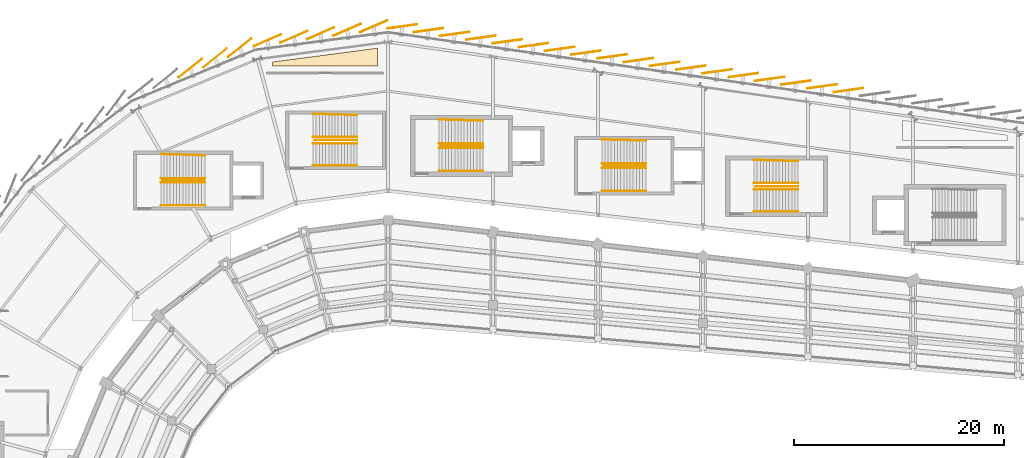
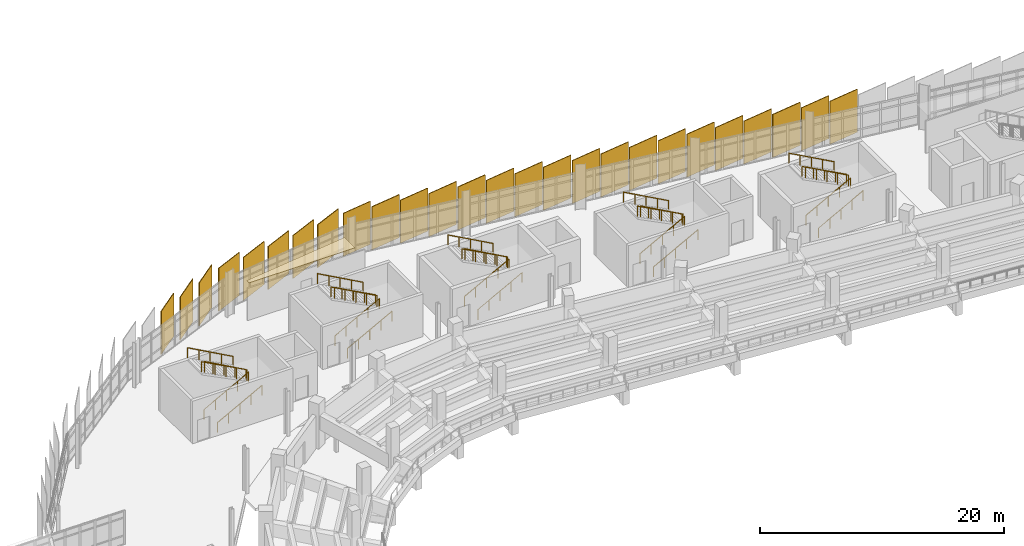
# One storey, part 115 of 120: 27 coverings, 25 railings.
"""IFC4 building model written with IfcOpenShell, lengths in metres."""

from ifc_helpers import new_model, si_unit, direction, frame, origin, origin_2d, place, context, subcontext, project, spatial, polyline, rectangle, circle, outline, extrude, material, layer, layer_set, type_object, element, save


model = new_model("IFC4")

# Units and contexts
model_context = context("Model", 3, precision=1e-05, world=origin(), true_north=direction((0.0, 1.0)))
body_context = subcontext(model_context, "Body", "Model", "MODEL_VIEW")
ifc_project = project(units=[si_unit("LENGTHUNIT", "METRE"), si_unit("AREAUNIT", "SQUARE_METRE"), si_unit("VOLUMEUNIT", "CUBIC_METRE"), si_unit("PLANEANGLEUNIT", "RADIAN"), si_unit("MASSUNIT", "GRAM", prefix="KILO")], contexts=[model_context])

# Site, building, storey
site_placement = place(None, origin())
site = spatial("IfcSite", under=ifc_project, at=site_placement, CompositionType="ELEMENT")
building_placement = place(site_placement, origin())
building = spatial("IfcBuilding", under=site, at=building_placement, Name="Sohan Crest Arena", CompositionType="ELEMENT")
storey_placement = place(building_placement, frame((0.0, 0.0, 13.5)))
storey = spatial("IfcBuildingStorey", under=building, at=storey_placement, Name="L03", CompositionType="ELEMENT", Elevation=13.5)

# Railings
ifc_material_1 = material(Name="Powder-coated wrought steel balustrade", Category="steel")
railing_type_1 = type_object("IfcRailingType", Name="ARC-GRD-01", PredefinedType="GUARDRAIL", material=ifc_material_1)
for number, where, name in (
    (1, (80.530029296875, 112.800048828125, 2.25), "Stair well slot guard GRD-026"),
    (2, (107.030029296875, 116.10009765625, 2.25), "Stair well slot guard GRD-038"),
    (3, (122.530029296875, 114.199951171875, 2.25), "Stair well slot guard GRD-049"),
    (4, (95.030029296875, 116.639892578125, 2.25), "Stair well slot guard GRD-109"),
    (5, (137.030029296875, 112.25, 2.25), "Stair well slot guard GRD-121"),
):
    element("IfcRailing", number, at=place(storey_placement, frame(where)), inside=storey, type_object=railing_type_1, Name=name, PredefinedType="GUARDRAIL", context=body_context, shape_type="SweptSolid", body=[
        extrude(circle(Radius=0.02392578125, at=origin_2d()), frame((0.0, 0.0, 1.076171875), z_axis=(-0.87313487534, 0.0, 0.487478706678), x_axis=(0.0, -1.0, 0.0)), (0.0, 0.0, 1.0), 4.615478515625),
        extrude(circle(Radius=0.02099609375, at=origin_2d()), origin(), (0.0, 0.0, 1.0), 1.052001953125),
        extrude(circle(Radius=0.02099609375, at=origin_2d()), frame((-1.007568359375, 0.0, 0.5625)), (0.0, 0.0, 1.0), 1.052001953125),
        extrude(circle(Radius=0.02099609375, at=origin_2d()), frame((-2.01513671875, 0.0, 1.125)), (0.0, 0.0, 1.0), 1.052001953125),
        extrude(circle(Radius=0.02099609375, at=origin_2d()), frame((-3.0224609375, 0.0, 1.6875)), (0.0, 0.0, 1.0), 1.052001953125),
        extrude(circle(Radius=0.02099609375, at=origin_2d()), frame((-4.030029296875, 0.0, 2.25)), (0.0, 0.0, 1.0), 1.052001953125),
    ])
ifc_material_2 = material(Name="Brushed stainless steel stair handrail", Category="steel")
railing_type_2 = type_object("IfcRailingType", Name="ARC-HR-01", PredefinedType="HANDRAIL", material=ifc_material_2)
for number, where, name in (
    (6, (76.35009765625, 110.409912109375, 0.0), "Stair pitch handrail HR-089"),
    (7, (76.35009765625, 112.590087890625, 0.0), "Stair pitch handrail HR-090"),
):
    element("IfcRailing", number, at=place(storey_placement, frame(where)), inside=storey, type_object=railing_type_2, Name=name, PredefinedType="HANDRAIL", context=body_context, shape_type="SweptSolid", body=[
        extrude(circle(Radius=0.02392578125, at=origin_2d()), frame((0.0, 0.0, 0.97607421875), z_axis=(0.881477684796, 0.0, 0.472225678258), x_axis=(0.0, 1.0, 0.0)), (0.0, 0.0, 1.0), 4.7646484375),
        extrude(circle(Radius=0.02099609375, at=origin_2d()), origin(), (0.0, 0.0, 1.0), 0.951904296875),
        extrude(circle(Radius=0.02099609375, at=origin_2d()), frame((1.050048828125, 0.0, 0.5625)), (0.0, 0.0, 1.0), 0.951904296875),
        extrude(circle(Radius=0.02099609375, at=origin_2d()), frame((2.10009765625, 0.0, 1.125)), (0.0, 0.0, 1.0), 0.951904296875),
        extrude(circle(Radius=0.02099609375, at=origin_2d()), frame((3.14990234375, 0.0, 1.6875)), (0.0, 0.0, 1.0), 0.951904296875),
        extrude(circle(Radius=0.02099609375, at=origin_2d()), frame((4.199951171875, 0.0, 2.25)), (0.0, 0.0, 1.0), 0.951904296875),
    ])
railing_1_placement = place(storey_placement, frame((80.550048828125, 113.010009765625, 2.25)))
element("IfcRailing", 8, at=railing_1_placement, inside=storey, type_object=railing_type_2, Name="Stair pitch handrail HR-091", PredefinedType="HANDRAIL", context=body_context, shape_type="SweptSolid", body=[
    extrude(circle(Radius=0.02392578125, at=origin_2d()), frame((0.0, 0.0, 0.97607421875), z_axis=(-0.881477684796, 0.0, 0.472225678258), x_axis=(0.0, -1.0, 0.0)), (0.0, 0.0, 1.0), 4.7646484375),
    extrude(circle(Radius=0.02099609375, at=origin_2d()), origin(), (0.0, 0.0, 1.0), 0.951904296875),
    extrude(circle(Radius=0.02099609375, at=origin_2d()), frame((-1.050048828125, 0.0, 0.5625)), (0.0, 0.0, 1.0), 0.951904296875),
    extrude(circle(Radius=0.02099609375, at=origin_2d()), frame((-2.10009765625, 0.0, 1.125)), (0.0, 0.0, 1.0), 0.951904296875),
    extrude(circle(Radius=0.02099609375, at=origin_2d()), frame((-3.14990234375, 0.0, 1.6875)), (0.0, 0.0, 1.0), 0.951904296875),
    extrude(circle(Radius=0.02099609375, at=origin_2d()), frame((-4.199951171875, 0.0, 2.25)), (0.0, 0.0, 1.0), 0.951904296875),
])
railing_2_placement = place(storey_placement, frame((80.550048828125, 115.18994140625, 2.25)))
element("IfcRailing", 9, at=railing_2_placement, inside=storey, type_object=railing_type_2, Name="Stair pitch handrail HR-092", PredefinedType="HANDRAIL", context=body_context, shape_type="SweptSolid", body=[
    extrude(circle(Radius=0.02392578125, at=origin_2d()), frame((0.0, 0.0, 0.97607421875), z_axis=(-0.881197710057, 0.025201957411, 0.472075690047), x_axis=(-0.028587973606, -0.999591280357, 0.0)), (0.0, 0.0, 1.0), 4.76611328125),
    extrude(circle(Radius=0.02099609375, at=origin_2d()), origin(), (0.0, 0.0, 1.0), 0.951904296875),
    extrude(circle(Radius=0.02099609375, at=origin_2d()), frame((-1.050048828125, 0.030029296875, 0.5625)), (0.0, 0.0, 1.0), 0.951904296875),
    extrude(circle(Radius=0.02099609375, at=origin_2d()), frame((-2.10009765625, 0.06005859375, 1.125)), (0.0, 0.0, 1.0), 0.951904296875),
    extrude(circle(Radius=0.02099609375, at=origin_2d()), frame((-3.14990234375, 0.090087890625, 1.6875)), (0.0, 0.0, 1.0), 0.951904296875),
    extrude(circle(Radius=0.02099609375, at=origin_2d()), frame((-4.199951171875, 0.1201171875, 2.25)), (0.0, 0.0, 1.0), 0.951904296875),
])
for number, where, name in (
    (10, (102.85009765625, 113.7099609375, 0.0), "Stair pitch handrail HR-129"),
    (11, (102.85009765625, 115.889892578125, 0.0), "Stair pitch handrail HR-130"),
):
    element("IfcRailing", number, at=place(storey_placement, frame(where)), inside=storey, type_object=railing_type_2, Name=name, PredefinedType="HANDRAIL", context=body_context, shape_type="SweptSolid", body=[
        extrude(circle(Radius=0.02392578125, at=origin_2d()), frame((0.0, 0.0, 0.97607421875), z_axis=(0.881477684796, 0.0, 0.472225678258), x_axis=(0.0, 1.0, 0.0)), (0.0, 0.0, 1.0), 4.7646484375),
        extrude(circle(Radius=0.02099609375, at=origin_2d()), origin(), (0.0, 0.0, 1.0), 0.951904296875),
        extrude(circle(Radius=0.02099609375, at=origin_2d()), frame((1.050048828125, 0.0, 0.5625)), (0.0, 0.0, 1.0), 0.951904296875),
        extrude(circle(Radius=0.02099609375, at=origin_2d()), frame((2.10009765625, 0.0, 1.125)), (0.0, 0.0, 1.0), 0.951904296875),
        extrude(circle(Radius=0.02099609375, at=origin_2d()), frame((3.14990234375, 0.0, 1.6875)), (0.0, 0.0, 1.0), 0.951904296875),
        extrude(circle(Radius=0.02099609375, at=origin_2d()), frame((4.199951171875, 0.0, 2.25)), (0.0, 0.0, 1.0), 0.951904296875),
    ])
railing_3_placement = place(storey_placement, frame((107.050048828125, 116.31005859375, 2.25)))
element("IfcRailing", 12, at=railing_3_placement, inside=storey, type_object=railing_type_2, Name="Stair pitch handrail HR-131", PredefinedType="HANDRAIL", context=body_context, shape_type="SweptSolid", body=[
    extrude(circle(Radius=0.02392578125, at=origin_2d()), frame((0.0, 0.0, 0.97607421875), z_axis=(-0.881477684796, 0.0, 0.472225678258), x_axis=(0.0, -1.0, 0.0)), (0.0, 0.0, 1.0), 4.7646484375),
    extrude(circle(Radius=0.02099609375, at=origin_2d()), origin(), (0.0, 0.0, 1.0), 0.951904296875),
    extrude(circle(Radius=0.02099609375, at=origin_2d()), frame((-1.050048828125, 0.0, 0.5625)), (0.0, 0.0, 1.0), 0.951904296875),
    extrude(circle(Radius=0.02099609375, at=origin_2d()), frame((-2.10009765625, 0.0, 1.125)), (0.0, 0.0, 1.0), 0.951904296875),
    extrude(circle(Radius=0.02099609375, at=origin_2d()), frame((-3.14990234375, 0.0, 1.6875)), (0.0, 0.0, 1.0), 0.951904296875),
    extrude(circle(Radius=0.02099609375, at=origin_2d()), frame((-4.199951171875, 0.0, 2.25)), (0.0, 0.0, 1.0), 0.951904296875),
])
railing_4_placement = place(storey_placement, frame((107.050048828125, 118.489990234375, 2.25)))
element("IfcRailing", 13, at=railing_4_placement, inside=storey, type_object=railing_type_2, Name="Stair pitch handrail HR-132", PredefinedType="HANDRAIL", context=body_context, shape_type="SweptSolid", body=[
    extrude(circle(Radius=0.02392578125, at=origin_2d()), frame((0.0, 0.0, 0.97607421875), z_axis=(-0.881197710057, 0.025201957411, 0.472075690047), x_axis=(-0.028587973606, -0.999591280357, 0.0)), (0.0, 0.0, 1.0), 4.76611328125),
    extrude(circle(Radius=0.02099609375, at=origin_2d()), origin(), (0.0, 0.0, 1.0), 0.951904296875),
    extrude(circle(Radius=0.02099609375, at=origin_2d()), frame((-1.050048828125, 0.030029296875, 0.5625)), (0.0, 0.0, 1.0), 0.951904296875),
    extrude(circle(Radius=0.02099609375, at=origin_2d()), frame((-2.10009765625, 0.06005859375, 1.125)), (0.0, 0.0, 1.0), 0.951904296875),
    extrude(circle(Radius=0.02099609375, at=origin_2d()), frame((-3.14990234375, 0.090087890625, 1.6875)), (0.0, 0.0, 1.0), 0.951904296875),
    extrude(circle(Radius=0.02099609375, at=origin_2d()), frame((-4.199951171875, 0.1201171875, 2.25)), (0.0, 0.0, 1.0), 0.951904296875),
])
for number, where, name in (
    (14, (118.35009765625, 111.81005859375, 0.0), "Stair pitch handrail HR-165"),
    (15, (118.35009765625, 113.989990234375, 0.0), "Stair pitch handrail HR-166"),
):
    element("IfcRailing", number, at=place(storey_placement, frame(where)), inside=storey, type_object=railing_type_2, Name=name, PredefinedType="HANDRAIL", context=body_context, shape_type="SweptSolid", body=[
        extrude(circle(Radius=0.02392578125, at=origin_2d()), frame((0.0, 0.0, 0.97607421875), z_axis=(0.881477684796, 0.0, 0.472225678258), x_axis=(0.0, 1.0, 0.0)), (0.0, 0.0, 1.0), 4.7646484375),
        extrude(circle(Radius=0.02099609375, at=origin_2d()), origin(), (0.0, 0.0, 1.0), 0.951904296875),
        extrude(circle(Radius=0.02099609375, at=origin_2d()), frame((1.050048828125, 0.0, 0.5625)), (0.0, 0.0, 1.0), 0.951904296875),
        extrude(circle(Radius=0.02099609375, at=origin_2d()), frame((2.10009765625, 0.0, 1.125)), (0.0, 0.0, 1.0), 0.951904296875),
        extrude(circle(Radius=0.02099609375, at=origin_2d()), frame((3.14990234375, 0.0, 1.6875)), (0.0, 0.0, 1.0), 0.951904296875),
        extrude(circle(Radius=0.02099609375, at=origin_2d()), frame((4.199951171875, 0.0, 2.25)), (0.0, 0.0, 1.0), 0.951904296875),
    ])
railing_5_placement = place(storey_placement, frame((122.550048828125, 114.409912109375, 2.25)))
element("IfcRailing", 16, at=railing_5_placement, inside=storey, type_object=railing_type_2, Name="Stair pitch handrail HR-167", PredefinedType="HANDRAIL", context=body_context, shape_type="SweptSolid", body=[
    extrude(circle(Radius=0.02392578125, at=origin_2d()), frame((0.0, 0.0, 0.97607421875), z_axis=(-0.881477684796, 0.0, 0.472225678258), x_axis=(0.0, -1.0, 0.0)), (0.0, 0.0, 1.0), 4.7646484375),
    extrude(circle(Radius=0.02099609375, at=origin_2d()), origin(), (0.0, 0.0, 1.0), 0.951904296875),
    extrude(circle(Radius=0.02099609375, at=origin_2d()), frame((-1.050048828125, 0.0, 0.5625)), (0.0, 0.0, 1.0), 0.951904296875),
    extrude(circle(Radius=0.02099609375, at=origin_2d()), frame((-2.10009765625, 0.0, 1.125)), (0.0, 0.0, 1.0), 0.951904296875),
    extrude(circle(Radius=0.02099609375, at=origin_2d()), frame((-3.14990234375, 0.0, 1.6875)), (0.0, 0.0, 1.0), 0.951904296875),
    extrude(circle(Radius=0.02099609375, at=origin_2d()), frame((-4.199951171875, 0.0, 2.25)), (0.0, 0.0, 1.0), 0.951904296875),
])
railing_6_placement = place(storey_placement, frame((122.550048828125, 116.590087890625, 2.25)))
element("IfcRailing", 17, at=railing_6_placement, inside=storey, type_object=railing_type_2, Name="Stair pitch handrail HR-168", PredefinedType="HANDRAIL", context=body_context, shape_type="SweptSolid", body=[
    extrude(circle(Radius=0.02392578125, at=origin_2d()), frame((0.0, 0.0, 0.97607421875), z_axis=(-0.881198846469, 0.025150766356, 0.472076298847), x_axis=(-0.028529915312, -0.999592939117, 0.0)), (0.0, 0.0, 1.0), 4.76611328125),
    extrude(circle(Radius=0.02099609375, at=origin_2d()), origin(), (0.0, 0.0, 1.0), 0.951904296875),
    extrude(circle(Radius=0.02099609375, at=origin_2d()), frame((-1.050048828125, 0.030029296875, 0.5625)), (0.0, 0.0, 1.0), 0.951904296875),
    extrude(circle(Radius=0.02099609375, at=origin_2d()), frame((-2.10009765625, 0.06005859375, 1.125)), (0.0, 0.0, 1.0), 0.951904296875),
    extrude(circle(Radius=0.02099609375, at=origin_2d()), frame((-3.14990234375, 0.08984375, 1.6875)), (0.0, 0.0, 1.0), 0.951904296875),
    extrude(circle(Radius=0.02099609375, at=origin_2d()), frame((-4.199951171875, 0.119873046875, 2.25)), (0.0, 0.0, 1.0), 0.951904296875),
])
for number, where, name in (
    (18, (90.85009765625, 114.25, 0.0), "Stair pitch handrail HR-357"),
    (19, (90.85009765625, 116.330078125, 0.0), "Stair pitch handrail HR-358"),
):
    element("IfcRailing", number, at=place(storey_placement, frame(where)), inside=storey, type_object=railing_type_2, Name=name, PredefinedType="HANDRAIL", context=body_context, shape_type="SweptSolid", body=[
        extrude(circle(Radius=0.02392578125, at=origin_2d()), frame((0.0, 0.0, 0.97607421875), z_axis=(0.881477684796, 0.0, 0.472225678258), x_axis=(0.0, 1.0, 0.0)), (0.0, 0.0, 1.0), 4.7646484375),
        extrude(circle(Radius=0.02099609375, at=origin_2d()), origin(), (0.0, 0.0, 1.0), 0.951904296875),
        extrude(circle(Radius=0.02099609375, at=origin_2d()), frame((1.050048828125, 0.0, 0.5625)), (0.0, 0.0, 1.0), 0.951904296875),
        extrude(circle(Radius=0.02099609375, at=origin_2d()), frame((2.10009765625, 0.0, 1.125)), (0.0, 0.0, 1.0), 0.951904296875),
        extrude(circle(Radius=0.02099609375, at=origin_2d()), frame((3.14990234375, 0.0, 1.6875)), (0.0, 0.0, 1.0), 0.951904296875),
        extrude(circle(Radius=0.02099609375, at=origin_2d()), frame((4.199951171875, 0.0, 2.25)), (0.0, 0.0, 1.0), 0.951904296875),
    ])
railing_7_placement = place(storey_placement, frame((95.050048828125, 116.949951171875, 2.25)))
element("IfcRailing", 20, at=railing_7_placement, inside=storey, type_object=railing_type_2, Name="Stair pitch handrail HR-359", PredefinedType="HANDRAIL", context=body_context, shape_type="SweptSolid", body=[
    extrude(circle(Radius=0.02392578125, at=origin_2d()), frame((0.0, 0.0, 0.97607421875), z_axis=(-0.881477684796, 0.0, 0.472225678258), x_axis=(0.0, -1.0, 0.0)), (0.0, 0.0, 1.0), 4.7646484375),
    extrude(circle(Radius=0.02099609375, at=origin_2d()), origin(), (0.0, 0.0, 1.0), 0.951904296875),
    extrude(circle(Radius=0.02099609375, at=origin_2d()), frame((-1.050048828125, 0.0, 0.5625)), (0.0, 0.0, 1.0), 0.951904296875),
    extrude(circle(Radius=0.02099609375, at=origin_2d()), frame((-2.10009765625, 0.0, 1.125)), (0.0, 0.0, 1.0), 0.951904296875),
    extrude(circle(Radius=0.02099609375, at=origin_2d()), frame((-3.14990234375, 0.0, 1.6875)), (0.0, 0.0, 1.0), 0.951904296875),
    extrude(circle(Radius=0.02099609375, at=origin_2d()), frame((-4.199951171875, 0.0, 2.25)), (0.0, 0.0, 1.0), 0.951904296875),
])
railing_8_placement = place(storey_placement, frame((95.050048828125, 119.030029296875, 2.25)))
element("IfcRailing", 21, at=railing_8_placement, inside=storey, type_object=railing_type_2, Name="Stair pitch handrail HR-360", PredefinedType="HANDRAIL", context=body_context, shape_type="SweptSolid", body=[
    extrude(circle(Radius=0.02392578125, at=origin_2d()), frame((0.0, 0.0, 0.97607421875), z_axis=(-0.881198846469, 0.025150766356, 0.472076298847), x_axis=(-0.028529915312, -0.999592939117, 0.0)), (0.0, 0.0, 1.0), 4.76611328125),
    extrude(circle(Radius=0.02099609375, at=origin_2d()), origin(), (0.0, 0.0, 1.0), 0.951904296875),
    extrude(circle(Radius=0.02099609375, at=origin_2d()), frame((-1.050048828125, 0.030029296875, 0.5625)), (0.0, 0.0, 1.0), 0.951904296875),
    extrude(circle(Radius=0.02099609375, at=origin_2d()), frame((-2.10009765625, 0.06005859375, 1.125)), (0.0, 0.0, 1.0), 0.951904296875),
    extrude(circle(Radius=0.02099609375, at=origin_2d()), frame((-3.14990234375, 0.08984375, 1.6875)), (0.0, 0.0, 1.0), 0.951904296875),
    extrude(circle(Radius=0.02099609375, at=origin_2d()), frame((-4.199951171875, 0.119873046875, 2.25)), (0.0, 0.0, 1.0), 0.951904296875),
])
for number, where, name in (
    (22, (132.85009765625, 109.860107421875, 0.0), "Stair pitch handrail HR-397"),
    (23, (132.85009765625, 111.93994140625, 0.0), "Stair pitch handrail HR-398"),
):
    element("IfcRailing", number, at=place(storey_placement, frame(where)), inside=storey, type_object=railing_type_2, Name=name, PredefinedType="HANDRAIL", context=body_context, shape_type="SweptSolid", body=[
        extrude(circle(Radius=0.02392578125, at=origin_2d()), frame((0.0, 0.0, 0.97607421875), z_axis=(0.881477684796, 0.0, 0.472225678258), x_axis=(0.0, 1.0, 0.0)), (0.0, 0.0, 1.0), 4.7646484375),
        extrude(circle(Radius=0.02099609375, at=origin_2d()), origin(), (0.0, 0.0, 1.0), 0.951904296875),
        extrude(circle(Radius=0.02099609375, at=origin_2d()), frame((1.050048828125, 0.0, 0.5625)), (0.0, 0.0, 1.0), 0.951904296875),
        extrude(circle(Radius=0.02099609375, at=origin_2d()), frame((2.10009765625, 0.0, 1.125)), (0.0, 0.0, 1.0), 0.951904296875),
        extrude(circle(Radius=0.02099609375, at=origin_2d()), frame((3.14990234375, 0.0, 1.6875)), (0.0, 0.0, 1.0), 0.951904296875),
        extrude(circle(Radius=0.02099609375, at=origin_2d()), frame((4.199951171875, 0.0, 2.25)), (0.0, 0.0, 1.0), 0.951904296875),
    ])
railing_9_placement = place(storey_placement, frame((137.050048828125, 112.56005859375, 2.25)))
element("IfcRailing", 24, at=railing_9_placement, inside=storey, type_object=railing_type_2, Name="Stair pitch handrail HR-399", PredefinedType="HANDRAIL", context=body_context, shape_type="SweptSolid", body=[
    extrude(circle(Radius=0.02392578125, at=origin_2d()), frame((0.0, 0.0, 0.97607421875), z_axis=(-0.881477684796, 0.0, 0.472225678258), x_axis=(0.0, -1.0, 0.0)), (0.0, 0.0, 1.0), 4.7646484375),
    extrude(circle(Radius=0.02099609375, at=origin_2d()), origin(), (0.0, 0.0, 1.0), 0.951904296875),
    extrude(circle(Radius=0.02099609375, at=origin_2d()), frame((-1.050048828125, 0.0, 0.5625)), (0.0, 0.0, 1.0), 0.951904296875),
    extrude(circle(Radius=0.02099609375, at=origin_2d()), frame((-2.10009765625, 0.0, 1.125)), (0.0, 0.0, 1.0), 0.951904296875),
    extrude(circle(Radius=0.02099609375, at=origin_2d()), frame((-3.14990234375, 0.0, 1.6875)), (0.0, 0.0, 1.0), 0.951904296875),
    extrude(circle(Radius=0.02099609375, at=origin_2d()), frame((-4.199951171875, 0.0, 2.25)), (0.0, 0.0, 1.0), 0.951904296875),
])
railing_10_placement = place(storey_placement, frame((137.050048828125, 114.639892578125, 2.25)))
element("IfcRailing", 25, at=railing_10_placement, inside=storey, type_object=railing_type_2, Name="Stair pitch handrail HR-400", PredefinedType="HANDRAIL", context=body_context, shape_type="SweptSolid", body=[
    extrude(circle(Radius=0.02392578125, at=origin_2d()), frame((0.0, 0.0, 0.97607421875), z_axis=(-0.881197710057, 0.025201957411, 0.472075690047), x_axis=(-0.028587973606, -0.999591280357, 0.0)), (0.0, 0.0, 1.0), 4.76611328125),
    extrude(circle(Radius=0.02099609375, at=origin_2d()), origin(), (0.0, 0.0, 1.0), 0.951904296875),
    extrude(circle(Radius=0.02099609375, at=origin_2d()), frame((-1.050048828125, 0.030029296875, 0.5625)), (0.0, 0.0, 1.0), 0.951904296875),
    extrude(circle(Radius=0.02099609375, at=origin_2d()), frame((-2.10009765625, 0.06005859375, 1.125)), (0.0, 0.0, 1.0), 0.951904296875),
    extrude(circle(Radius=0.02099609375, at=origin_2d()), frame((-3.14990234375, 0.090087890625, 1.6875)), (0.0, 0.0, 1.0), 0.951904296875),
    extrude(circle(Radius=0.02099609375, at=origin_2d()), frame((-4.199951171875, 0.1201171875, 2.25)), (0.0, 0.0, 1.0), 0.951904296875),
])

# Coverings
ifc_material_3 = material(Name="Acoustic mineral-fibre ceiling tile")
ifc_layer_1 = layer(ifc_material_3, 0.044921875, Name="Acoustic mineral-fibre ceiling tile")
ifc_layer_set_1 = layer_set([ifc_layer_1], Name="Acoustic mineral-fibre ceiling tile")
covering_type_1 = type_object("IfcCoveringType", Name="COV-CL1", PredefinedType="CEILING", material=ifc_layer_set_1)
covering_placement = place(storey_placement, frame((0.0, 0.0, 3.10009765625)))
element("IfcCovering", 26, at=covering_placement, inside=storey, type_object=covering_type_1, Name="Suspended acoustic ceiling CL-001", PredefinedType="CEILING", context=body_context, shape_type="SweptSolid", body=[
    extrude(outline(polyline([(87.0, 123.68994140625), (87.0, 124.090087890625), (97.0, 125.406982421875), (97.0, 123.68994140625), (87.0, 123.68994140625)])), origin(), (0.0, 0.0, 1.0), 0.0498046875),
])
ifc_material_4 = material(Name="Glazed ivory trencadis ceramic cladding", Category="masonry")
ifc_layer_2 = layer(ifc_material_4, 0.06494140625, Name="Glazed ivory trencadis ceramic cladding")
ifc_layer_set_2 = layer_set([ifc_layer_2], Name="Glazed ivory trencadis ceramic cladding")
covering_type_2 = type_object("IfcCoveringType", Name="COV-SC-IV", PredefinedType="CLADDING", material=ifc_layer_set_2)
for number, where, z_axis, x_axis, name in (
    (27, (94.10400390625, 127.154052734375, -0.2001953125), (0.0, 0.0, 1.0), (-0.917060074385, -0.398749068925, 0.0), "Rotated trencadis ceramic scale panel SC-0262"),
    (28, (91.572998046875, 126.820068359375, -0.2001953125), (0.0, 0.0, 1.0), (-0.917060074385, -0.398749068925, 0.0), "Rotated trencadis ceramic scale panel SC-0263"),
    (29, (89.0419921875, 126.487060546875, -0.2001953125), (0.0, 0.0, 1.0), (-0.917060074385, -0.398749068925, 0.0), "Rotated trencadis ceramic scale panel SC-0264"),
    (30, (86.510009765625, 126.154052734375, -0.2001953125), (0.0, 0.0, 1.0), (-0.917060074385, -0.398749068925, 0.0), "Rotated trencadis ceramic scale panel SC-0265"),
    (31, (83.8740234375, 125.447998046875, -0.2001953125), (0.0, 0.0, 1.0), (-0.782608156852, -0.622514636638, 0.0), "Rotated trencadis ceramic scale panel SC-0266"),
    (32, (81.514892578125, 124.470947265625, -0.2001953125), (0.0, 0.0, 1.0), (-0.782608156852, -0.622514636638, 0.0), "Rotated trencadis ceramic scale panel SC-0267"),
    (33, (79.156005859375, 123.493896484375, -0.2001953125), (0.0, 0.0, 1.0), (-0.782608156852, -0.622514636638, 0.0), "Rotated trencadis ceramic scale panel SC-0268"),
    (34, (141.85791015625, 121.402099609375, -0.2001953125), (0.0, 0.0, 1.0), (-0.990509463238, -0.137444546037, 0.0), "Rotated trencadis ceramic scale panel SC-0381"),
    (35, (139.35791015625, 121.760009765625, -0.2001953125), (0.0, 0.0, 1.0), (-0.990509463238, -0.137444546037, 0.0), "Rotated trencadis ceramic scale panel SC-0382"),
    (36, (134.35693359375, 122.47412109375, -0.2001953125), (0.0, 0.0, 1.0), (-0.990509463238, -0.137444546037, 0.0), "Rotated trencadis ceramic scale panel SC-0384"),
    (37, (131.85693359375, 122.8310546875, -0.2001953125), (0.0, 0.0, 1.0), (-0.990509463238, -0.137444546037, 0.0), "Rotated trencadis ceramic scale panel SC-0385"),
    (38, (129.35693359375, 123.18798828125, -0.2001953125), (0.0, 0.0, 1.0), (-0.990509463238, -0.137444546037, 0.0), "Rotated trencadis ceramic scale panel SC-0386"),
    (39, (126.85791015625, 123.544921875, -0.2001953125), (0.0, 0.0, 1.0), (-0.990509463238, -0.137444546037, 0.0), "Rotated trencadis ceramic scale panel SC-0387"),
    (40, (124.35791015625, 123.902099609375, -0.2001953125), (0.0, 0.0, 1.0), (-0.990509463238, -0.137444546037, 0.0), "Rotated trencadis ceramic scale panel SC-0388"),
    (41, (121.85791015625, 124.259033203125, -0.2001953125), (0.0, 0.0, 1.0), (-0.990509463238, -0.137444546037, 0.0), "Rotated trencadis ceramic scale panel SC-0389"),
    (42, (119.35791015625, 124.616943359375, -0.2001953125), (0.0, 0.0, 1.0), (-0.990509463238, -0.137444546037, 0.0), "Rotated trencadis ceramic scale panel SC-0390"),
    (43, (116.85693359375, 124.97412109375, -0.2001953125), (0.0, 0.0, 1.0), (-0.990509463238, -0.137444546037, 0.0), "Rotated trencadis ceramic scale panel SC-0391"),
    (44, (114.35693359375, 125.3310546875, -0.2001953125), (0.0, 0.0, 1.0), (-0.990509463238, -0.137444546037, 0.0), "Rotated trencadis ceramic scale panel SC-0392"),
    (45, (111.85693359375, 125.68798828125, -0.2001953125), (0.0, 0.0, 1.0), (-0.990509463238, -0.137444546037, 0.0), "Rotated trencadis ceramic scale panel SC-0393"),
    (46, (106.85791015625, 126.402099609375, -0.2001953125), (0.0, 0.0, 1.0), (-0.990509463238, -0.137444546037, 0.0), "Rotated trencadis ceramic scale panel SC-0395"),
    (47, (104.35791015625, 126.759033203125, -0.2001953125), (0.0, 0.0, 1.0), (-0.990509463238, -0.137444546037, 0.0), "Rotated trencadis ceramic scale panel SC-0396"),
    (48, (99.35791015625, 127.47412109375, -0.2001953125), (0.0, 0.0, 1.0), (-0.990509463238, -0.137444546037, 0.0), "Rotated trencadis ceramic scale panel SC-0398"),
):
    element("IfcCovering", number, at=place(storey_placement, frame(where, z_axis=z_axis, x_axis=x_axis)), inside=storey, type_object=covering_type_2, Name=name, PredefinedType="CLADDING", context=body_context, shape_type="SweptSolid", body=[
        extrude(rectangle(XDim=2.85009765625, YDim=0.06494140625, at=origin_2d()), origin(), (0.0, 0.0, 1.0), 4.300048828125),
    ])
ifc_material_5 = material(Name="Glazed terracotta trencadis ceramic cladding", Category="masonry")
ifc_layer_3 = layer(ifc_material_5, 0.074951171875, Name="Glazed terracotta trencadis ceramic cladding")
ifc_layer_set_3 = layer_set([ifc_layer_3], Name="Glazed terracotta trencadis ceramic cladding")
covering_type_3 = type_object("IfcCoveringType", Name="COV-SC-TC", PredefinedType="CLADDING", material=ifc_layer_set_3)
for number, where, z_axis, x_axis, name in (
    (49, (96.635009765625, 127.487060546875, -0.2001953125), (0.0, 0.0, 1.0), (-0.917060074385, -0.398749068925, 0.0), "Rotated trencadis ceramic scale panel SC-0261"),
    (50, (136.85693359375, 122.116943359375, -0.2001953125), (0.0, 0.0, 1.0), (-0.990509463238, -0.137444546037, 0.0), "Rotated trencadis ceramic scale panel SC-0383"),
    (51, (109.35693359375, 126.044921875, -0.2001953125), (0.0, 0.0, 1.0), (-0.990509463238, -0.137444546037, 0.0), "Rotated trencadis ceramic scale panel SC-0394"),
    (52, (101.85791015625, 127.115966796875, -0.2001953125), (0.0, 0.0, 1.0), (-0.990509463238, -0.137444546037, 0.0), "Rotated trencadis ceramic scale panel SC-0397"),
):
    element("IfcCovering", number, at=place(storey_placement, frame(where, z_axis=z_axis, x_axis=x_axis)), inside=storey, type_object=covering_type_3, Name=name, PredefinedType="CLADDING", context=body_context, shape_type="SweptSolid", body=[
        extrude(rectangle(XDim=2.85009765625, YDim=0.074951171875, at=origin_2d()), origin(), (0.0, 0.0, 1.0), 4.300048828125),
    ])

save(model, "model.ifc")
